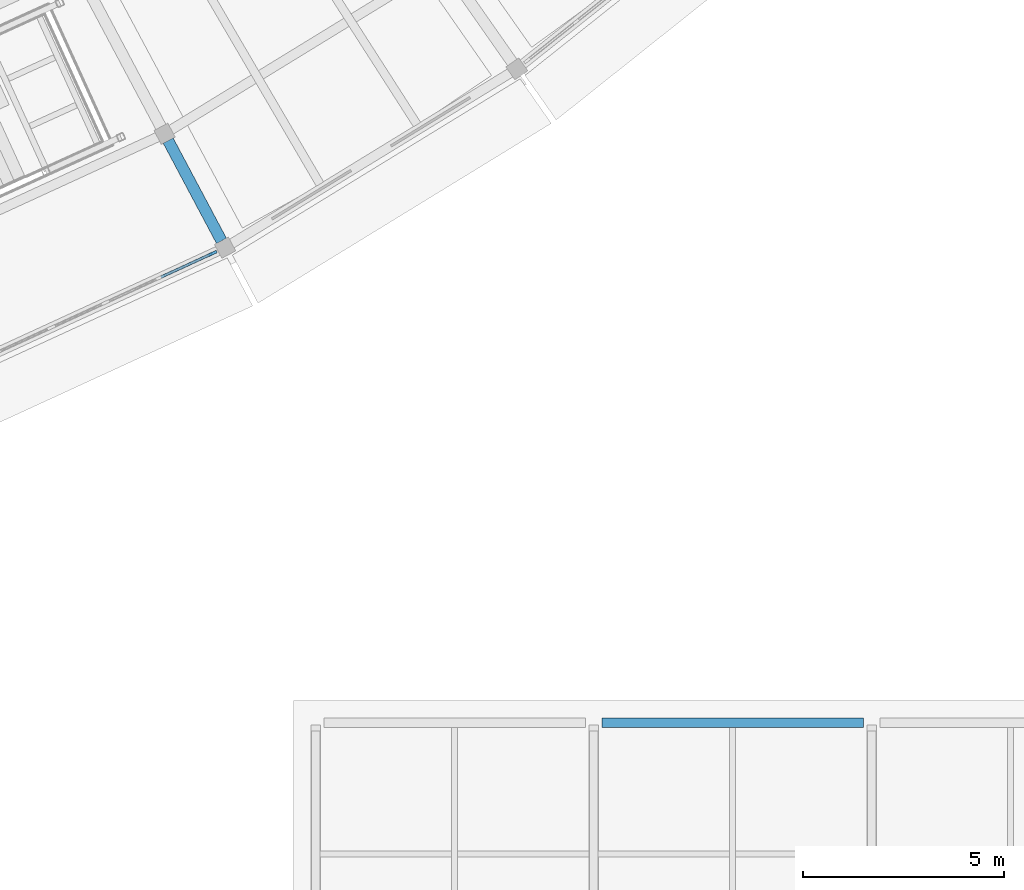
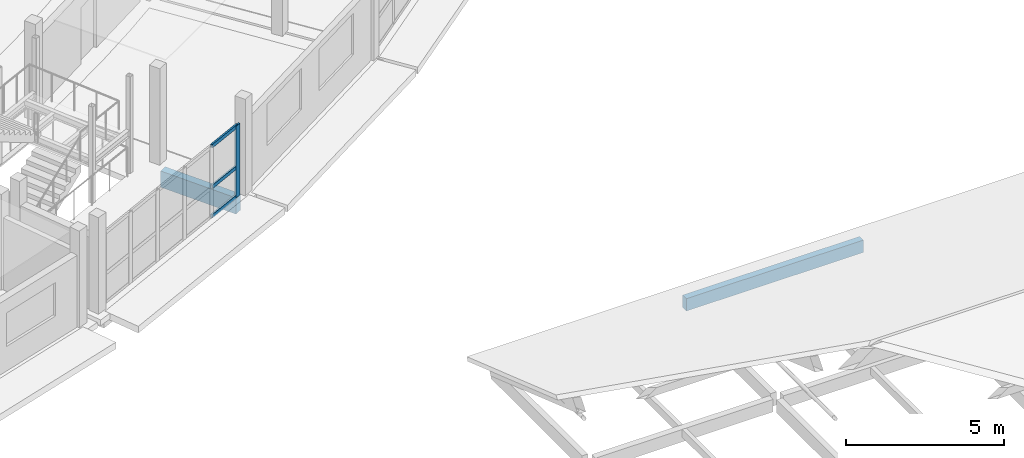
# One storey, part 25 of 66: 4 members, 2 beams, 1 element without a shape of its own.
"""IFC4 building model written with IfcOpenShell, lengths in metres."""

from ifc_helpers import new_model, si_unit, direction, frame, origin, origin_2d, place, context, subcontext, project, spatial, rectangle, extrude, material, layer, layer_set, material_profile, profile_set, type_object, element, aggregate, save


model = new_model("IFC4")

# Units and contexts
model_context = context("Model", 3, precision=1e-05, world=origin(), true_north=direction((0.0, 1.0)))
body_context = subcontext(model_context, "Body", "Model", "MODEL_VIEW")
ifc_project = project(units=[si_unit("LENGTHUNIT", "METRE"), si_unit("AREAUNIT", "SQUARE_METRE"), si_unit("VOLUMEUNIT", "CUBIC_METRE"), si_unit("PLANEANGLEUNIT", "RADIAN"), si_unit("MASSUNIT", "GRAM", prefix="KILO")], contexts=[model_context])

# Site, building, storey
site_placement = place(None, origin())
site = spatial("IfcSite", under=ifc_project, at=site_placement, CompositionType="ELEMENT")
building_placement = place(site_placement, origin())
building = spatial("IfcBuilding", under=site, at=building_placement, Name="Caldaven Crescent School", CompositionType="ELEMENT")
storey_placement = place(building_placement, frame((0.0, 0.0, 8.159912109375)))
storey = spatial("IfcBuildingStorey", under=building, at=storey_placement, Name="L02", CompositionType="ELEMENT", Elevation=8.159912109375)

# Beam
ifc_material_1 = material(Name="Glulam MLE24h (GL28h)", Category="wood")
ifc_material_profile_1 = material_profile(ifc_material_1, rectangle(XDim=0.280029296875, YDim=0.6298828125, at=origin_2d()), Name="MLE 280x630")
ifc_profile_set_1 = profile_set([ifc_material_profile_1], Name="Glulam MLE24h (GL28h)")
beam_type_1 = type_object("IfcBeamType", Name="BM-GL63", PredefinedType="BEAM", material=ifc_profile_set_1)
beam_1_placement = place(storey_placement, frame((119.238525390625, 37.248779296875, -0.56494140625), z_axis=(0.469478008596, -0.882944165531, 0.0), x_axis=(0.882944165531, 0.469478008596, 0.0)))
element("IfcBeam", 1, at=beam_1_placement, inside=storey, type_object=beam_type_1, Name="BMR-V4E-L02-1282", PredefinedType="BEAM", context=body_context, shape_type="SweptSolid", body=[
    extrude(rectangle(XDim=0.280029296875, YDim=0.6298828125, at=origin_2d()), origin(), (0.0, 0.0, 1.0), 2.820068359375),
])

# Curtain wall, members
ifc_material_2 = material(Name="Anodised aluminium AA 6063-T6 and low-E double glazing", Category="aluminium")
ifc_layer = layer(ifc_material_2, 0.2099609375)
ifc_layer_set = layer_set([ifc_layer], Name="Anodised aluminium AA 6063-T6 and low-E double glazing")
curtain_wall_type = type_object("IfcCurtainWallType", Name="CW-SYS3", PredefinedType="NOTDEFINED", material=ifc_layer_set)
curtain_wall_placement = place(storey_placement, origin())
curtain_wall = element("IfcCurtainWall", 2, at=curtain_wall_placement, inside=storey, type_object=curtain_wall_type, Name="CW-L02-150", PredefinedType="NOTDEFINED")
ifc_material_3 = material(Name="Anodised aluminium AA 6063-T6", Category="aluminium")
ifc_material_profile_2 = material_profile(ifc_material_3, rectangle(XDim=0.070068359375, YDim=0.2099609375, at=origin_2d()), Name="CWM 70x210")
ifc_profile_set_2 = profile_set([ifc_material_profile_2], Name="Anodised aluminium AA 6063-T6")
member_type_1 = type_object("IfcMemberType", Name="CWM-T3", PredefinedType="MULLION", material=ifc_profile_set_2)
member_1_placement = place(storey_placement, frame((120.347412109375, 34.450927734375, 0.0), z_axis=(0.0, 0.0, 1.0), x_axis=(-0.417823425339, 0.908528252306, 0.0)))
member_1 = element("IfcMember", 3, at=member_1_placement, type_object=member_type_1, Name="CW3 mullion 6", PredefinedType="MULLION", context=body_context, shape_type="SweptSolid", body=[
    extrude(rectangle(XDim=0.070068359375, YDim=0.2099609375, at=origin_2d()), origin(), (0.0, 0.0, 1.0), 2.780029296875),
])
ifc_material_profile_3 = material_profile(ifc_material_3, rectangle(XDim=0.06494140625, YDim=0.139892578125, at=origin_2d()), Name="CWT 65x140")
ifc_profile_set_3 = profile_set([ifc_material_profile_3], Name="Anodised aluminium AA 6063-T6")
member_type_2 = type_object("IfcMemberType", Name="CWT-T2", PredefinedType="USERDEFINED", material=ifc_profile_set_3)
member_2_placement = place(storey_placement, frame((119.06396484375, 33.86083984375, 0.032470703125), z_axis=(0.908518707105, 0.417844180096, 0.0), x_axis=(-0.417844180096, 0.908518707105, 0.0)))
member_2 = element("IfcMember", 4, at=member_2_placement, type_object=member_type_2, Name="CW3 transom 5.1", ObjectType="TRANSOM", PredefinedType="USERDEFINED", context=body_context, shape_type="SweptSolid", body=[
    extrude(rectangle(XDim=0.06494140625, YDim=0.139892578125, at=origin_2d()), origin(), (0.0, 0.0, 1.0), 1.377685546875),
])
member_3_placement = place(storey_placement, frame((119.06396484375, 33.86083984375, 1.16796875), z_axis=(0.908518707105, 0.417844180096, 0.0), x_axis=(-0.417844180096, 0.908518707105, 0.0)))
member_3 = element("IfcMember", 5, at=member_3_placement, type_object=member_type_2, Name="CW3 transom 5.2", ObjectType="TRANSOM", PredefinedType="USERDEFINED", context=body_context, shape_type="SweptSolid", body=[
    extrude(rectangle(XDim=0.06494140625, YDim=0.139892578125, at=origin_2d()), origin(), (0.0, 0.0, 1.0), 1.377685546875),
])
member_4_placement = place(storey_placement, frame((119.06396484375, 33.86083984375, 2.74755859375), z_axis=(0.908518707105, 0.417844180096, 0.0), x_axis=(-0.417844180096, 0.908518707105, 0.0)))
member_4 = element("IfcMember", 6, at=member_4_placement, type_object=member_type_2, Name="CW3 transom 5.3", ObjectType="TRANSOM", PredefinedType="USERDEFINED", context=body_context, shape_type="SweptSolid", body=[
    extrude(rectangle(XDim=0.06494140625, YDim=0.139892578125, at=origin_2d()), origin(), (0.0, 0.0, 1.0), 1.377685546875),
])
aggregate(curtain_wall, [member_1, member_2, member_3, member_4])

# Beam
ifc_material_profile_4 = material_profile(ifc_material_1, rectangle(XDim=0.239990234375, YDim=0.47998046875, at=origin_2d()), Name="MLE 240x480")
ifc_profile_set_4 = profile_set([ifc_material_profile_4], Name="Glulam MLE24h (GL28h)")
beam_type_2 = type_object("IfcBeamType", Name="SP-GL48", PredefinedType="SPANDREL", material=ifc_profile_set_4)
beam_2_placement = place(storey_placement, frame((130.0048828125, 22.800048828125, -0.4599609375), z_axis=(1.0, 0.0, 0.0), x_axis=(0.0, 1.0, 0.0)))
element("IfcBeam", 7, at=beam_2_placement, inside=storey, type_object=beam_type_2, Name="BMX-V3-L02-0517", PredefinedType="SPANDREL", context=body_context, shape_type="SweptSolid", body=[
    extrude(rectangle(XDim=0.239990234375, YDim=0.47998046875, at=origin_2d()), origin(), (0.0, 0.0, 1.0), 6.490234375),
])

save(model, "model.ifc")
